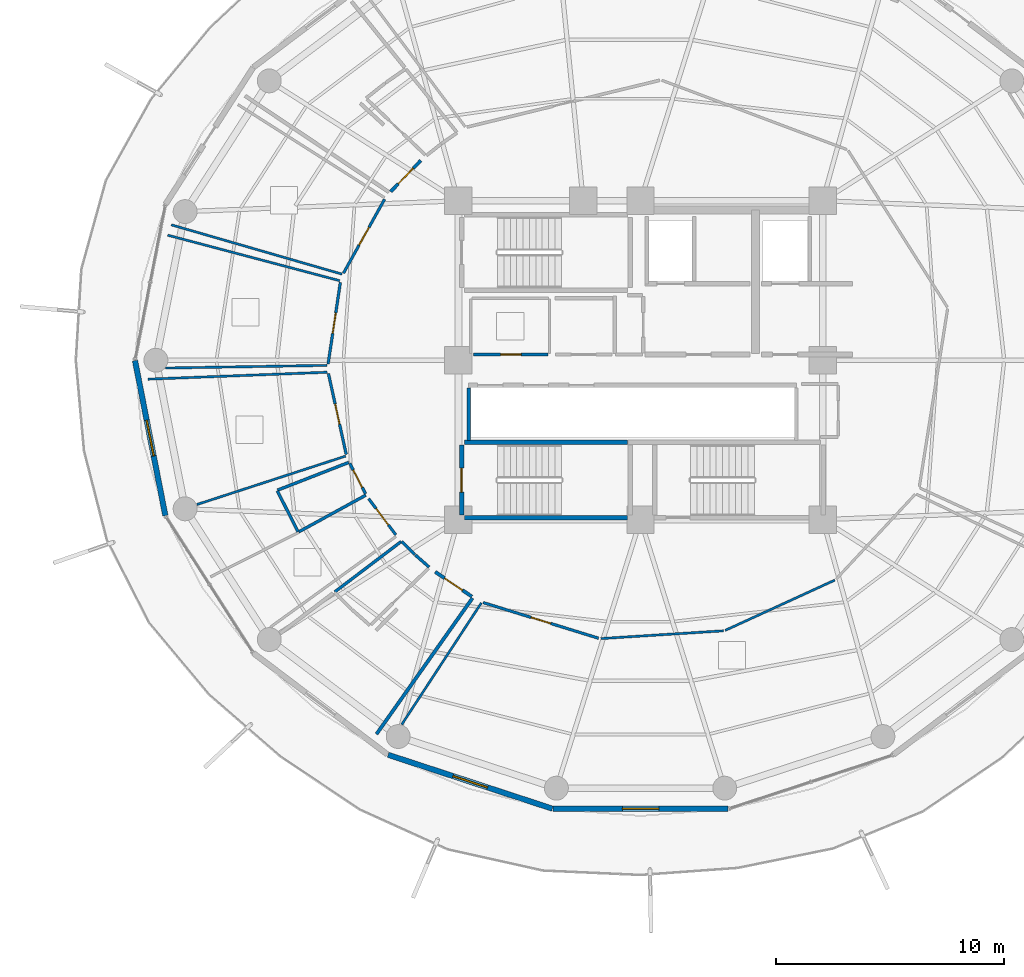
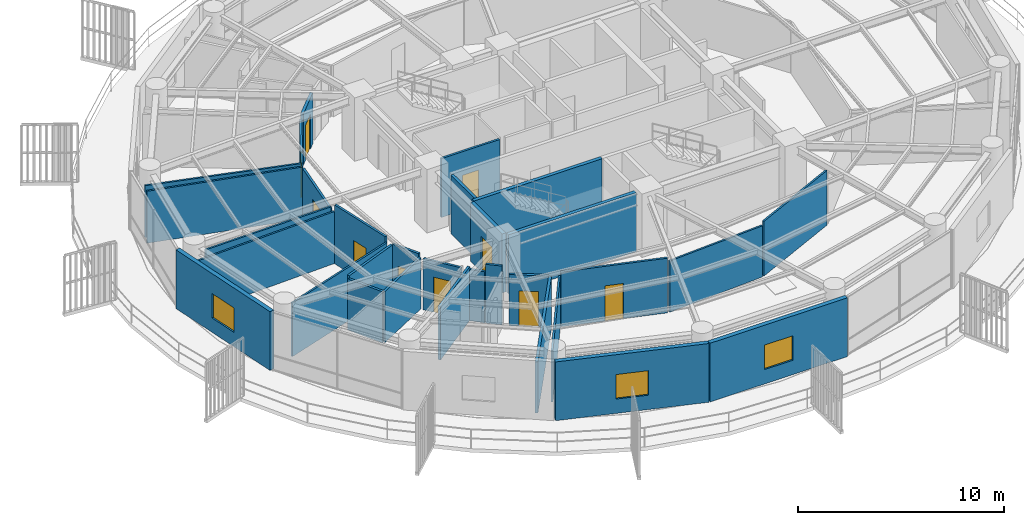
# One storey, part 23 of 30: 31 walls, 10 doors, 3 windows, 13 openings.
"""IFC4 building model written with IfcOpenShell, lengths in metres."""

from ifc_helpers import new_model, si_unit, direction, frame, frame_2d, origin, place, context, subcontext, project, spatial, rectangle, extrude, material, layer, layer_set, type_object, element, fill, save


model = new_model("IFC4")

# Units and contexts
model_context = context("Model", 3, precision=1e-05, world=origin(), true_north=direction((0.0, 1.0)))
body_context = subcontext(model_context, "Body", "Model", "MODEL_VIEW")
ifc_project = project(units=[si_unit("LENGTHUNIT", "METRE"), si_unit("AREAUNIT", "SQUARE_METRE"), si_unit("VOLUMEUNIT", "CUBIC_METRE"), si_unit("PLANEANGLEUNIT", "RADIAN"), si_unit("MASSUNIT", "GRAM", prefix="KILO")], contexts=[model_context])

# Site, building, storey
site_placement = place(None, origin())
site = spatial("IfcSite", under=ifc_project, at=site_placement, CompositionType="ELEMENT")
building_placement = place(site_placement, origin())
building = spatial("IfcBuilding", under=site, at=building_placement, Name="Kelanora Arch Commons", CompositionType="ELEMENT")
storey_placement = place(building_placement, frame((0.0, 0.0, 215.699951171875)))
storey = spatial("IfcBuildingStorey", under=building, at=storey_placement, Name="L55", CompositionType="ELEMENT", Elevation=215.699951171875)

# Wall
ifc_material_1 = material(Name="Autoclaved aerated concrete blockwork with fire plaster", Category="masonry")
ifc_layer_1 = layer(ifc_material_1, 0.14990234375)
ifc_layer_set_1 = layer_set([ifc_layer_1], Name="Autoclaved aerated concrete blockwork with fire plaster")
wall_type_1 = type_object("IfcWallType", Name="W-COMP-150", PredefinedType="PARTITIONING", material=ifc_layer_set_1)
wall_1_placement = place(storey_placement, frame((66.4599609375, 54.47998046875, 0.0), z_axis=(0.0, 0.0, 1.0), x_axis=(0.0, 1.0, 0.0)))
element("IfcWall", 1, at=wall_1_placement, inside=storey, type_object=wall_type_1, Name="South Lift Bank West Wall L55", PredefinedType="PARTITIONING", context=body_context, shape_type="SweptSolid", body=[
    extrude(rectangle(XDim=2.2900390625, YDim=0.14990234375, at=frame_2d((1.14501953125, 0.0))), origin(), (0.0, 0.0, 1.0), 3.47998046875),
])

# Wall, opening, door
wall_2_placement = place(storey_placement, frame((64.34716796875, 66.761962890625, 0.0), z_axis=(0.0, 0.0, 1.0), x_axis=(-0.697118859216, -0.716955574722, 0.0)))
wall_2 = element("IfcWall", 2, at=wall_2_placement, inside=storey, type_object=wall_type_1, Name="Co-Living Studio L55-01 Entry Partition", PredefinedType="PARTITIONING", context=body_context, shape_type="SweptSolid", body=[
    extrude(rectangle(XDim=1.895263671875, YDim=0.14990234375, at=frame_2d((0.94775390625, 0.0))), origin(), (0.0, 0.0, 1.0), 3.025146484375),
])
opening_1_placement = place(wall_2_placement, frame((0.472900390625, 0.0, 0.0)))
opening_1 = element("IfcOpeningElement", 3, at=opening_1_placement, cuts=wall_2, Name="Opening D-CLU1", PredefinedType="OPENING", context=body_context, shape_type="SweptSolid", body=[
    extrude(rectangle(XDim=0.949951171875, YDim=2.080078125, at=frame_2d((0.47509765625, 1.0400390625))), frame((0.0, 0.0849609375, 0.0), z_axis=(0.0, -1.0, 0.0), x_axis=(1.0, 0.0, 0.0)), (0.0, 0.0, 1.0), 0.169921875),
])
ifc_material_2 = material(Name="Solid-core acoustic timber cluster entry fire door", Category="wood")
door_type_1 = type_object("IfcDoorType", Name="D-CLU-95", OperationType="NOTDEFINED", PredefinedType="DOOR", material=ifc_material_2)
door_1_placement = place(opening_1_placement, origin())
door_1 = element("IfcDoor", 4, at=door_1_placement, inside=storey, type_object=door_type_1, Name="Co-Living Studio L55-01 Door", OperationType="SINGLE_SWING_RIGHT", OverallHeight=2.080078125, OverallWidth=0.949951171875, PredefinedType="DOOR", context=body_context, shape_type="SweptSolid", body=[
    extrude(rectangle(XDim=0.949951171875, YDim=2.080078125, at=frame_2d((0.47509765625, 1.0400390625))), frame((0.0, 0.02490234375, 0.0), z_axis=(0.0, -1.0, 0.0), x_axis=(1.0, 0.0, 0.0)), (0.0, 0.0, 1.0), 0.050048828125),
])
fill(opening_1, door_1)

wall_3_placement = place(storey_placement, frame((64.98388671875, 48.70654296875, 0.0), z_axis=(0.0, 0.0, 1.0), x_axis=(0.829408373073, -0.558642775553, 0.0)))
wall_3 = element("IfcWall", 5, at=wall_3_placement, inside=storey, type_object=wall_type_1, Name="Co-Living Studio L55-06 Entry Partition", PredefinedType="PARTITIONING", context=body_context, shape_type="SweptSolid", body=[
    extrude(rectangle(XDim=1.9404296875, YDim=0.14990234375, at=frame_2d((0.97021484375, 0.0))), origin(), (0.0, 0.0, 1.0), 3.025146484375),
])
opening_2_placement = place(wall_3_placement, frame((0.4951171875, 0.0, 0.0)))
opening_2 = element("IfcOpeningElement", 6, at=opening_2_placement, cuts=wall_3, Name="Opening D-CLU1", PredefinedType="OPENING", context=body_context, shape_type="SweptSolid", body=[
    extrude(rectangle(XDim=0.949951171875, YDim=2.080078125, at=frame_2d((0.47509765625, 1.0400390625))), frame((0.0, 0.0849609375, 0.0), z_axis=(0.0, -1.0, 0.0), x_axis=(1.0, 0.0, 0.0)), (0.0, 0.0, 1.0), 0.169921875),
])
door_2_placement = place(opening_2_placement, origin())
door_2 = element("IfcDoor", 7, at=door_2_placement, inside=storey, type_object=door_type_1, Name="Co-Living Studio L55-06 Door", OperationType="SINGLE_SWING_LEFT", OverallHeight=2.080078125, OverallWidth=0.949951171875, PredefinedType="DOOR", context=body_context, shape_type="SweptSolid", body=[
    extrude(rectangle(XDim=0.949951171875, YDim=2.080078125, at=frame_2d((0.47509765625, 1.0400390625))), frame((0.0, 0.02490234375, 0.0), z_axis=(0.0, -1.0, 0.0), x_axis=(1.0, 0.0, 0.0)), (0.0, 0.0, 1.0), 0.050048828125),
])
fill(opening_2, door_2)

# Wall
wall_4_placement = place(storey_placement, frame((66.619873046875, 47.556396484375, 0.0), z_axis=(0.0, 0.0, 1.0), x_axis=(-0.576552043051, -0.817060427174, 0.0)))
element("IfcWall", 8, at=wall_4_placement, inside=storey, type_object=wall_type_1, Name="Co-Living Studio L55-06 Enclosure Partition 2", PredefinedType="PARTITIONING", context=body_context, shape_type="SweptSolid", body=[
    extrude(rectangle(XDim=7.308837890625, YDim=0.14990234375, at=frame_2d((3.654296875, 0.0))), origin(), (0.0, 0.0, 1.0), 3.025146484375),
])

# Wall, opening, window
ifc_material_3 = material(Name="Precast concrete C40/50 upper-zone terracotta rainscreen", Category="masonry")
ifc_layer_2 = layer(ifc_material_3, 0.239990234375)
ifc_layer_set_2 = layer_set([ifc_layer_2], Name="Precast concrete C40/50 upper-zone terracotta rainscreen")
wall_type_2 = type_object("IfcWallType", Name="W-EXT-TC2", PredefinedType="SOLIDWALL", material=ifc_layer_set_2)
wall_5_placement = place(storey_placement, frame((51.802978515625, 57.9853515625, 0.0), z_axis=(0.0, 0.0, 1.0), x_axis=(0.192069055673, -0.981381413036, 0.0)))
wall_5 = element("IfcWall", 9, at=wall_5_placement, inside=storey, type_object=wall_type_2, Name="Terracotta Exterior Wall L55-B09", PredefinedType="SOLIDWALL", context=body_context, shape_type="SweptSolid", body=[
    extrude(rectangle(XDim=6.940185546875, YDim=0.239990234375, at=frame_2d((3.47021484375, 0.0))), origin(), (0.0, 0.0, 1.0), 3.47509765625),
])
opening_3_placement = place(wall_5_placement, frame((2.669921875, 0.0, 0.85009765625)))
opening_3 = element("IfcOpeningElement", 10, at=opening_3_placement, cuts=wall_5, Name="Opening WN-01", PredefinedType="OPENING", context=body_context, shape_type="SweptSolid", body=[
    extrude(rectangle(XDim=1.60009765625, YDim=1.449951171875, at=frame_2d((0.800048828125, 0.72509765625))), frame((0.0, 0.1298828125, 0.0), z_axis=(0.0, -1.0, 0.0), x_axis=(1.0, 0.0, 0.0)), (0.0, 0.0, 1.0), 0.260009765625),
])
ifc_material_4 = material(Name="Terracotta-anodised aluminium frame with operable low-E glazing", Category="masonry")
window_type = type_object("IfcWindowType", Name="WIN-CL-18", PartitioningType="DOUBLE_PANEL_VERTICAL", PredefinedType="WINDOW", material=ifc_material_4)
window_1_placement = place(opening_3_placement, origin())
window_1 = element("IfcWindow", 11, at=window_1_placement, inside=storey, type_object=window_type, Name="Co-Living Operable Window L55-B09", OverallHeight=1.449951171875, OverallWidth=1.60009765625, PartitioningType="SINGLE_PANEL", PredefinedType="WINDOW", context=body_context, shape_type="SweptSolid", body=[
    extrude(rectangle(XDim=1.60009765625, YDim=1.449951171875, at=frame_2d((0.800048828125, 0.72509765625))), frame((0.0, 0.030029296875, 0.0), z_axis=(0.0, -1.0, 0.0), x_axis=(1.0, 0.0, 0.0)), (0.0, 0.0, 1.0), 0.06005859375),
])
fill(opening_3, window_1)

wall_6_placement = place(storey_placement, frame((62.914306640625, 40.6748046875, 0.0), z_axis=(0.0, 0.0, 1.0), x_axis=(0.95022142767, -0.31157541366, 0.0)))
wall_6 = element("IfcWall", 12, at=wall_6_placement, inside=storey, type_object=wall_type_2, Name="Terracotta Exterior Wall L55-B12", PredefinedType="SOLIDWALL", context=body_context, shape_type="SweptSolid", body=[
    extrude(rectangle(XDim=7.59423828125, YDim=0.239990234375, at=frame_2d((3.797119140625, 0.0))), origin(), (0.0, 0.0, 1.0), 3.47509765625),
])
opening_4_placement = place(wall_6_placement, frame((2.9970703125, 0.0, 0.85009765625)))
opening_4 = element("IfcOpeningElement", 13, at=opening_4_placement, cuts=wall_6, Name="Opening WN-01", PredefinedType="OPENING", context=body_context, shape_type="SweptSolid", body=[
    extrude(rectangle(XDim=1.60009765625, YDim=1.449951171875, at=frame_2d((0.800048828125, 0.72509765625))), frame((0.0, 0.1298828125, 0.0), z_axis=(0.0, -1.0, 0.0), x_axis=(1.0, 0.0, 0.0)), (0.0, 0.0, 1.0), 0.260009765625),
])
window_2_placement = place(opening_4_placement, origin())
window_2 = element("IfcWindow", 14, at=window_2_placement, inside=storey, type_object=window_type, Name="Co-Living Operable Window L55-B12", OverallHeight=1.449951171875, OverallWidth=1.60009765625, PartitioningType="SINGLE_PANEL", PredefinedType="WINDOW", context=body_context, shape_type="SweptSolid", body=[
    extrude(rectangle(XDim=1.60009765625, YDim=1.449951171875, at=frame_2d((0.800048828125, 0.72509765625))), frame((0.0, 0.030029296875, 0.0), z_axis=(0.0, -1.0, 0.0), x_axis=(1.0, 0.0, 0.0)), (0.0, 0.0, 1.0), 0.06005859375),
])
fill(opening_4, window_2)

wall_7_placement = place(storey_placement, frame((70.159912109375, 38.3037109375, 0.0), z_axis=(0.0, 0.0, 1.0), x_axis=(1.0, 0.0, 0.0)))
wall_7 = element("IfcWall", 15, at=wall_7_placement, inside=storey, type_object=wall_type_2, Name="Terracotta Exterior Wall L55-B13", PredefinedType="SOLIDWALL", context=body_context, shape_type="SweptSolid", body=[
    extrude(rectangle(XDim=7.68017578125, YDim=0.239990234375, at=frame_2d((3.840087890625, 0.0))), origin(), (0.0, 0.0, 1.0), 3.47509765625),
])
opening_5_placement = place(wall_7_placement, frame((3.0400390625, 0.0, 0.85009765625)))
opening_5 = element("IfcOpeningElement", 16, at=opening_5_placement, cuts=wall_7, Name="Opening WN-01", PredefinedType="OPENING", context=body_context, shape_type="SweptSolid", body=[
    extrude(rectangle(XDim=1.60009765625, YDim=1.449951171875, at=frame_2d((0.800048828125, 0.72509765625))), frame((0.0, 0.1298828125, 0.0), z_axis=(0.0, -1.0, 0.0), x_axis=(1.0, 0.0, 0.0)), (0.0, 0.0, 1.0), 0.260009765625),
])
window_3_placement = place(opening_5_placement, origin())
window_3 = element("IfcWindow", 17, at=window_3_placement, inside=storey, type_object=window_type, Name="Co-Living Operable Window L55-B13", OverallHeight=1.449951171875, OverallWidth=1.60009765625, PartitioningType="SINGLE_PANEL", PredefinedType="WINDOW", context=body_context, shape_type="SweptSolid", body=[
    extrude(rectangle(XDim=1.60009765625, YDim=1.449951171875, at=frame_2d((0.800048828125, 0.72509765625))), frame((0.0, 0.030029296875, 0.0), z_axis=(0.0, -1.0, 0.0), x_axis=(1.0, 0.0, 0.0)), (0.0, 0.0, 1.0), 0.06005859375),
])
fill(opening_5, window_3)

# Walls
ifc_material_5 = material(Name="Lightweight fire-rated acoustic stud partition")
ifc_layer_3 = layer(ifc_material_5, 0.10009765625)
ifc_layer_set_3 = layer_set([ifc_layer_3], Name="Lightweight fire-rated acoustic stud partition")
wall_type_3 = type_object("IfcWallType", Name="W-PART-100", PredefinedType="PARTITIONING", material=ifc_layer_set_3)
wall_8_placement = place(storey_placement, frame((72.25390625, 45.777587890625, 0.0), z_axis=(0.0, 0.0, 1.0), x_axis=(0.99800477295, 0.063138523658, 0.0)))
element("IfcWall", 18, at=wall_8_placement, inside=storey, type_object=wall_type_3, Name="South-East Shared Study Commons L55 Enclosure Partition 2", PredefinedType="PARTITIONING", context=body_context, shape_type="SweptSolid", body=[
    extrude(rectangle(XDim=5.39794921875, YDim=0.10009765625, at=frame_2d((2.698974609375, 0.0))), origin(), (0.0, 0.0, 1.0), 3.025146484375),
])
wall_9_placement = place(storey_placement, frame((77.71728515625, 46.1376953125, 0.0), z_axis=(0.0, 0.0, 1.0), x_axis=(0.908908137454, 0.416996400069, 0.0)))
element("IfcWall", 19, at=wall_9_placement, inside=storey, type_object=wall_type_3, Name="South-East Shared Study Commons L55 Enclosure Partition 3", PredefinedType="PARTITIONING", context=body_context, shape_type="SweptSolid", body=[
    extrude(rectangle(XDim=5.2890625, YDim=0.10009765625, at=frame_2d((2.64453125, 0.0))), origin(), (0.0, 0.0, 1.0), 3.235107421875),
])
wall_10_placement = place(storey_placement, frame((63.513916015625, 42.00439453125, 0.0), z_axis=(0.0, 0.0, 1.0), x_axis=(0.547776057645, 0.836625000028, 0.0)))
element("IfcWall", 20, at=wall_10_placement, inside=storey, type_object=wall_type_3, Name="South-East Shared Study Commons L55 Enclosure Partition 10", PredefinedType="PARTITIONING", context=body_context, shape_type="SweptSolid", body=[
    extrude(rectangle(XDim=6.380615234375, YDim=0.10009765625, at=frame_2d((3.1904296875, 0.0))), origin(), (0.0, 0.0, 1.0), 3.025146484375),
])
wall_11_placement = place(storey_placement, frame((60.888671875, 61.780029296875, 0.0), z_axis=(0.0, 0.0, 1.0), x_axis=(-0.960734399679, 0.277469661899, 0.0)))
element("IfcWall", 21, at=wall_11_placement, inside=storey, type_object=wall_type_3, Name="Shared Cluster Kitchen L55-02 Enclosure Partition 2", PredefinedType="PARTITIONING", context=body_context, shape_type="SweptSolid", body=[
    extrude(rectangle(XDim=7.79833984375, YDim=0.10009765625, at=frame_2d((3.899169921875, 0.0))), origin(), (0.0, 0.0, 1.0), 3.074951171875),
])
wall_12_placement = place(storey_placement, frame((60.23193359375, 57.773193359375, 0.0), z_axis=(0.0, 0.0, 1.0), x_axis=(-0.999864271248, -0.016475408379, 0.0)))
element("IfcWall", 22, at=wall_12_placement, inside=storey, type_object=wall_type_3, Name="Quiet Seminar Study Room L55-03 Enclosure Partition 2", PredefinedType="PARTITIONING", context=body_context, shape_type="SweptSolid", body=[
    extrude(rectangle(XDim=7.083251953125, YDim=0.10009765625, at=frame_2d((3.54150390625, 0.0))), origin(), (0.0, 0.0, 1.0), 3.175048828125),
])
wall_13_placement = place(storey_placement, frame((53.24072265625, 63.48974609375, 0.0), z_axis=(0.0, 0.0, 1.0), x_axis=(0.966701361123, -0.25590716755, 0.0)))
element("IfcWall", 23, at=wall_13_placement, inside=storey, type_object=wall_type_3, Name="Quiet Seminar Study Room L55-03 Enclosure Partition 4", PredefinedType="PARTITIONING", context=body_context, shape_type="SweptSolid", body=[
    extrude(rectangle(XDim=7.8095703125, YDim=0.10009765625, at=frame_2d((3.90478515625, 0.0))), origin(), (0.0, 0.0, 1.0), 3.074951171875),
])
wall_14_placement = place(storey_placement, frame((61.052001953125, 53.79052734375, 0.0), z_axis=(0.0, 0.0, 1.0), x_axis=(-0.950863645771, -0.309609959708, 0.0)))
element("IfcWall", 24, at=wall_14_placement, inside=storey, type_object=wall_type_3, Name="Social Sky Lounge L55-04 Enclosure Partition 2", PredefinedType="PARTITIONING", context=body_context, shape_type="SweptSolid", body=[
    extrude(rectangle(XDim=6.869873046875, YDim=0.10009765625, at=frame_2d((3.43505859375, 0.0))), origin(), (0.0, 0.0, 1.0), 3.175048828125),
])
wall_15_placement = place(storey_placement, frame((52.3798828125, 57.16845703125, 0.0), z_axis=(0.0, 0.0, 1.0), x_axis=(0.999258468257, 0.038503423452, 0.0)))
element("IfcWall", 25, at=wall_15_placement, inside=storey, type_object=wall_type_3, Name="Social Sky Lounge L55-04 Enclosure Partition 4", PredefinedType="PARTITIONING", context=body_context, shape_type="SweptSolid", body=[
    extrude(rectangle(XDim=7.868896484375, YDim=0.10009765625, at=frame_2d((3.9345703125, 0.0))), origin(), (0.0, 0.0, 1.0), 3.074951171875),
])

# Wall, opening, door
ifc_material_6 = material(Name="Acoustic twin-stud fire-rated gypsum partition")
ifc_layer_4 = layer(ifc_material_6, 0.1201171875)
ifc_layer_set_4 = layer_set([ifc_layer_4], Name="Acoustic twin-stud fire-rated gypsum partition")
wall_type_4 = type_object("IfcWallType", Name="W-PART-120", PredefinedType="PARTITIONING", material=ifc_layer_set_4)
wall_16_placement = place(storey_placement, frame((66.67529296875, 58.25, 0.0), z_axis=(0.0, 0.0, 1.0), x_axis=(1.0, 0.0, 0.0)))
wall_16 = element("IfcWall", 26, at=wall_16_placement, inside=storey, type_object=wall_type_4, Name="Reclaimed Core Quiet Phone Booths L55 Entry Partition", PredefinedType="PARTITIONING", context=body_context, shape_type="SweptSolid", body=[
    extrude(rectangle(XDim=3.2646484375, YDim=0.1201171875, at=frame_2d((1.63232421875, 0.0))), origin(), (0.0, 0.0, 1.0), 3.47998046875),
])
opening_6_placement = place(wall_16_placement, frame((1.181884765625, 0.0, 0.0)))
opening_6 = element("IfcOpeningElement", 27, at=opening_6_placement, cuts=wall_16, Name="Opening D-RM1", PredefinedType="OPENING", context=body_context, shape_type="SweptSolid", body=[
    extrude(rectangle(XDim=0.89990234375, YDim=2.080078125, at=frame_2d((0.449951171875, 1.0400390625))), frame((0.0, 0.070068359375, 0.0), z_axis=(0.0, -1.0, 0.0), x_axis=(1.0, 0.0, 0.0)), (0.0, 0.0, 1.0), 0.14013671875),
])
ifc_material_7 = material(Name="Acoustic fire-rated timber study and lounge door", Category="wood")
door_type_2 = type_object("IfcDoorType", Name="D-ROOM-90", OperationType="NOTDEFINED", PredefinedType="DOOR", material=ifc_material_7)
door_3_placement = place(opening_6_placement, origin())
door_3 = element("IfcDoor", 28, at=door_3_placement, inside=storey, type_object=door_type_2, Name="Reclaimed Core Quiet Phone Booths L55 Door", OperationType="SINGLE_SWING_LEFT", OverallHeight=2.080078125, OverallWidth=0.89990234375, PredefinedType="DOOR", context=body_context, shape_type="SweptSolid", body=[
    extrude(rectangle(XDim=0.89990234375, YDim=2.080078125, at=frame_2d((0.449951171875, 1.0400390625))), frame((0.0, 0.02490234375, 0.0), z_axis=(0.0, -1.0, 0.0), x_axis=(1.0, 0.0, 0.0)), (0.0, 0.0, 1.0), 0.050048828125),
])
fill(opening_6, door_3)

wall_17_placement = place(storey_placement, frame((67.08837890625, 47.3583984375, 0.0), z_axis=(0.0, 0.0, 1.0), x_axis=(0.955451026591, -0.295149683696, 0.0)))
wall_17 = element("IfcWall", 29, at=wall_17_placement, inside=storey, type_object=wall_type_4, Name="South-East Shared Study Commons L55 Entry Partition", PredefinedType="PARTITIONING", context=body_context, shape_type="SweptSolid", body=[
    extrude(rectangle(XDim=5.3046875, YDim=0.1201171875, at=frame_2d((2.65234375, 0.0))), origin(), (0.0, 0.0, 1.0), 3.235107421875),
])
opening_7_placement = place(wall_17_placement, frame((2.201904296875, 0.0, 0.0)))
opening_7 = element("IfcOpeningElement", 30, at=opening_7_placement, cuts=wall_17, Name="Opening D-RM1", PredefinedType="OPENING", context=body_context, shape_type="SweptSolid", body=[
    extrude(rectangle(XDim=0.89990234375, YDim=2.080078125, at=frame_2d((0.449951171875, 1.0400390625))), frame((0.0, 0.070068359375, 0.0), z_axis=(0.0, -1.0, 0.0), x_axis=(1.0, 0.0, 0.0)), (0.0, 0.0, 1.0), 0.14013671875),
])
door_4_placement = place(opening_7_placement, origin())
door_4 = element("IfcDoor", 31, at=door_4_placement, inside=storey, type_object=door_type_2, Name="South-East Shared Study Commons L55 Door", OperationType="SINGLE_SWING_LEFT", OverallHeight=2.080078125, OverallWidth=0.89990234375, PredefinedType="DOOR", context=body_context, shape_type="SweptSolid", body=[
    extrude(rectangle(XDim=0.89990234375, YDim=2.080078125, at=frame_2d((0.449951171875, 1.0400390625))), frame((0.0, 0.02490234375, 0.0), z_axis=(0.0, -1.0, 0.0), x_axis=(1.0, 0.0, 0.0)), (0.0, 0.0, 1.0), 0.050048828125),
])
fill(opening_7, door_4)

wall_18_placement = place(storey_placement, frame((62.7587890625, 65.063720703125, 0.0), z_axis=(0.0, 0.0, 1.0), x_axis=(-0.485877595764, -0.874026865683, 0.0)))
wall_18 = element("IfcWall", 32, at=wall_18_placement, inside=storey, type_object=wall_type_4, Name="Shared Cluster Kitchen L55-02 Entry Partition", PredefinedType="PARTITIONING", context=body_context, shape_type="SweptSolid", body=[
    extrude(rectangle(XDim=3.709716796875, YDim=0.1201171875, at=frame_2d((1.85498046875, 0.0))), origin(), (0.0, 0.0, 1.0), 3.025146484375),
])
opening_8_placement = place(wall_18_placement, frame((1.405029296875, 0.0, 0.0)))
opening_8 = element("IfcOpeningElement", 33, at=opening_8_placement, cuts=wall_18, Name="Opening D-RM1", PredefinedType="OPENING", context=body_context, shape_type="SweptSolid", body=[
    extrude(rectangle(XDim=0.89990234375, YDim=2.080078125, at=frame_2d((0.449951171875, 1.0400390625))), frame((0.0, 0.070068359375, 0.0), z_axis=(0.0, -1.0, 0.0), x_axis=(1.0, 0.0, 0.0)), (0.0, 0.0, 1.0), 0.14013671875),
])
door_5_placement = place(opening_8_placement, origin())
door_5 = element("IfcDoor", 34, at=door_5_placement, inside=storey, type_object=door_type_2, Name="Shared Cluster Kitchen L55-02 Door", OperationType="SINGLE_SWING_LEFT", OverallHeight=2.080078125, OverallWidth=0.89990234375, PredefinedType="DOOR", context=body_context, shape_type="SweptSolid", body=[
    extrude(rectangle(XDim=0.89990234375, YDim=2.080078125, at=frame_2d((0.449951171875, 1.0400390625))), frame((0.0, 0.02490234375, 0.0), z_axis=(0.0, -1.0, 0.0), x_axis=(1.0, 0.0, 0.0)), (0.0, 0.0, 1.0), 0.050048828125),
])
fill(opening_8, door_5)

wall_19_placement = place(storey_placement, frame((60.820068359375, 61.421630859375, 0.0), z_axis=(0.0, 0.0, 1.0), x_axis=(-0.148557592641, -0.988903757536, 0.0)))
wall_19 = element("IfcWall", 35, at=wall_19_placement, inside=storey, type_object=wall_type_4, Name="Quiet Seminar Study Room L55-03 Entry Partition", PredefinedType="PARTITIONING", context=body_context, shape_type="SweptSolid", body=[
    extrude(rectangle(XDim=3.628662109375, YDim=0.1201171875, at=frame_2d((1.814453125, 0.0))), origin(), (0.0, 0.0, 1.0), 3.025146484375),
])
opening_9_placement = place(wall_19_placement, frame((1.364013671875, 0.0, 0.0)))
opening_9 = element("IfcOpeningElement", 36, at=opening_9_placement, cuts=wall_19, Name="Opening D-RM1", PredefinedType="OPENING", context=body_context, shape_type="SweptSolid", body=[
    extrude(rectangle(XDim=0.89990234375, YDim=2.080078125, at=frame_2d((0.449951171875, 1.0400390625))), frame((0.0, 0.070068359375, 0.0), z_axis=(0.0, -1.0, 0.0), x_axis=(1.0, 0.0, 0.0)), (0.0, 0.0, 1.0), 0.14013671875),
])
door_6_placement = place(opening_9_placement, origin())
door_6 = element("IfcDoor", 37, at=door_6_placement, inside=storey, type_object=door_type_2, Name="Quiet Seminar Study Room L55-03 Door", OperationType="SINGLE_SWING_RIGHT", OverallHeight=2.080078125, OverallWidth=0.89990234375, PredefinedType="DOOR", context=body_context, shape_type="SweptSolid", body=[
    extrude(rectangle(XDim=0.89990234375, YDim=2.080078125, at=frame_2d((0.449951171875, 1.0400390625))), frame((0.0, 0.02490234375, 0.0), z_axis=(0.0, -1.0, 0.0), x_axis=(1.0, 0.0, 0.0)), (0.0, 0.0, 1.0), 0.050048828125),
])
fill(opening_9, door_6)

wall_20_placement = place(storey_placement, frame((60.2958984375, 57.414306640625, 0.0), z_axis=(0.0, 0.0, 1.0), x_axis=(0.214769597133, -0.976664742963, 0.0)))
wall_20 = element("IfcWall", 38, at=wall_20_placement, inside=storey, type_object=wall_type_4, Name="Social Sky Lounge L55-04 Entry Partition", PredefinedType="PARTITIONING", context=body_context, shape_type="SweptSolid", body=[
    extrude(rectangle(XDim=3.6376953125, YDim=0.1201171875, at=frame_2d((1.81884765625, 0.0))), origin(), (0.0, 0.0, 1.0), 3.47998046875),
])
opening_10_placement = place(wall_20_placement, frame((1.368896484375, 0.0, 0.0)))
opening_10 = element("IfcOpeningElement", 39, at=opening_10_placement, cuts=wall_20, Name="Opening D-RM1", PredefinedType="OPENING", context=body_context, shape_type="SweptSolid", body=[
    extrude(rectangle(XDim=0.89990234375, YDim=2.080078125, at=frame_2d((0.449951171875, 1.0400390625))), frame((0.0, 0.070068359375, 0.0), z_axis=(0.0, -1.0, 0.0), x_axis=(1.0, 0.0, 0.0)), (0.0, 0.0, 1.0), 0.14013671875),
])
door_7_placement = place(opening_10_placement, origin())
door_7 = element("IfcDoor", 40, at=door_7_placement, inside=storey, type_object=door_type_2, Name="Social Sky Lounge L55-04 Door", OperationType="SINGLE_SWING_LEFT", OverallHeight=2.080078125, OverallWidth=0.89990234375, PredefinedType="DOOR", context=body_context, shape_type="SweptSolid", body=[
    extrude(rectangle(XDim=0.89990234375, YDim=2.080078125, at=frame_2d((0.449951171875, 1.0400390625))), frame((0.0, 0.02490234375, 0.0), z_axis=(0.0, -1.0, 0.0), x_axis=(1.0, 0.0, 0.0)), (0.0, 0.0, 1.0), 0.050048828125),
])
fill(opening_10, door_7)

wall_21_placement = place(storey_placement, frame((62.06005859375, 51.922119140625, 0.0), z_axis=(0.0, 0.0, 1.0), x_axis=(0.600647163637, -0.799514218019, 0.0)))
wall_21 = element("IfcWall", 41, at=wall_21_placement, inside=storey, type_object=wall_type_4, Name="Tutorial Study Alcove L55-05 Entry Partition", PredefinedType="PARTITIONING", context=body_context, shape_type="SweptSolid", body=[
    extrude(rectangle(XDim=1.9912109375, YDim=0.1201171875, at=frame_2d((0.99560546875, 0.0))), origin(), (0.0, 0.0, 1.0), 3.025146484375),
])
opening_11_placement = place(wall_21_placement, frame((0.5458984375, 0.0, 0.0)))
opening_11 = element("IfcOpeningElement", 42, at=opening_11_placement, cuts=wall_21, Name="Opening D-RM1", PredefinedType="OPENING", context=body_context, shape_type="SweptSolid", body=[
    extrude(rectangle(XDim=0.89990234375, YDim=2.080078125, at=frame_2d((0.449951171875, 1.0400390625))), frame((0.0, 0.070068359375, 0.0), z_axis=(0.0, -1.0, 0.0), x_axis=(1.0, 0.0, 0.0)), (0.0, 0.0, 1.0), 0.14013671875),
])
door_8_placement = place(opening_11_placement, origin())
door_8 = element("IfcDoor", 43, at=door_8_placement, inside=storey, type_object=door_type_2, Name="Tutorial Study Alcove L55-05 Door", OperationType="SINGLE_SWING_LEFT", OverallHeight=2.080078125, OverallWidth=0.89990234375, PredefinedType="DOOR", context=body_context, shape_type="SweptSolid", body=[
    extrude(rectangle(XDim=0.89990234375, YDim=2.080078125, at=frame_2d((0.449951171875, 1.0400390625))), frame((0.0, 0.02490234375, 0.0), z_axis=(0.0, -1.0, 0.0), x_axis=(1.0, 0.0, 0.0)), (0.0, 0.0, 1.0), 0.050048828125),
])
fill(opening_11, door_8)

# Walls
ifc_material_8 = material(Name="Concrete C40/50", Category="concrete")
ifc_layer_5 = layer(ifc_material_8, 0.199951171875)
ifc_layer_set_5 = layer_set([ifc_layer_5], Name="Concrete C40/50")
wall_type_5 = type_object("IfcWallType", Name="W-STAIR-200", PredefinedType="SHEAR", material=ifc_layer_set_5)
for number, where, z_axis, x_axis, name in (
    (44, (66.260009765625, 51.080078125, 0.0), (0.0, 0.0, 1.0), (1.0, 0.0, 0.0), "Stair ST-T3 Shaft Wall S L55"),
    (45, (73.419921875, 54.389892578125, 0.0), (0.0, 0.0, 1.0), (-1.0, 0.0, 0.0), "Stair ST-T3 Shaft Wall N L55"),
):
    element("IfcWall", number, at=place(storey_placement, frame(where, z_axis=z_axis, x_axis=x_axis)), inside=storey, type_object=wall_type_5, Name=name, PredefinedType="SHEAR", context=body_context, shape_type="SweptSolid", body=[
        extrude(rectangle(XDim=7.159912109375, YDim=0.199951171875, at=frame_2d((3.580078125, 0.0))), origin(), (0.0, 0.0, 1.0), 3.489990234375),
    ])

# Wall, opening, door
wall_22_placement = place(storey_placement, frame((66.139892578125, 54.27001953125, 0.0), z_axis=(0.0, 0.0, 1.0), x_axis=(0.0, -1.0, 0.0)))
wall_22 = element("IfcWall", 46, at=wall_22_placement, inside=storey, type_object=wall_type_5, Name="Stair ST-T3 Shaft Wall W L55", PredefinedType="SHEAR", context=body_context, shape_type="SweptSolid", body=[
    extrude(rectangle(XDim=3.070068359375, YDim=0.199951171875, at=frame_2d((1.53515625, 0.0))), origin(), (0.0, 0.0, 1.0), 3.489990234375),
])
opening_12_placement = place(wall_22_placement, frame((1.010009765625, 0.0, 0.0)))
opening_12 = element("IfcOpeningElement", 47, at=opening_12_placement, cuts=wall_22, Name="Opening D-ST1", PredefinedType="OPENING", context=body_context, shape_type="SweptSolid", body=[
    extrude(rectangle(XDim=1.050048828125, YDim=2.10009765625, at=frame_2d((0.52490234375, 1.050048828125))), frame((0.0, 0.10986328125, 0.0), z_axis=(0.0, -1.0, 0.0), x_axis=(1.0, 0.0, 0.0)), (0.0, 0.0, 1.0), 0.219970703125),
])
ifc_material_9 = material(Name="Steel fire-rated stairwell escape door", Category="steel")
door_type_3 = type_object("IfcDoorType", Name="D-STAIR-110", OperationType="NOTDEFINED", PredefinedType="DOOR", material=ifc_material_9)
door_9_placement = place(opening_12_placement, origin())
door_9 = element("IfcDoor", 48, at=door_9_placement, inside=storey, type_object=door_type_3, Name="Stair ST-T3 Escape Door L55", OperationType="SINGLE_SWING_LEFT", OverallHeight=2.10009765625, OverallWidth=1.050048828125, PredefinedType="DOOR", context=body_context, shape_type="SweptSolid", body=[
    extrude(rectangle(XDim=1.050048828125, YDim=2.10009765625, at=frame_2d((0.52490234375, 1.050048828125))), frame((0.0, 0.02490234375, 0.0), z_axis=(0.0, -1.0, 0.0), x_axis=(1.0, 0.0, 0.0)), (0.0, 0.0, 1.0), 0.050048828125),
])
fill(opening_12, door_9)

ifc_material_10 = material(Name="Moisture-resistant fire-rated cement-board plumbing wall")
ifc_layer_6 = layer(ifc_material_10, 0.1298828125)
ifc_layer_set_6 = layer_set([ifc_layer_6], Name="Moisture-resistant fire-rated cement-board plumbing wall")
wall_type_6 = type_object("IfcWallType", Name="W-WET-120", PredefinedType="PLUMBINGWALL", material=ifc_layer_set_6)
wall_23_placement = place(storey_placement, frame((61.235595703125, 53.4677734375, 0.0), z_axis=(0.0, 0.0, 1.0), x_axis=(0.460573669508, -0.887621481802, 0.0)))
wall_23 = element("IfcWall", 49, at=wall_23_placement, inside=storey, type_object=wall_type_6, Name="Accessible Shared Floor WC L55-05 Entry Partition", PredefinedType="PLUMBINGWALL", context=body_context, shape_type="SweptSolid", body=[
    extrude(rectangle(XDim=1.500244140625, YDim=0.1298828125, at=frame_2d((0.75, 0.0))), origin(), (0.0, 0.0, 1.0), 3.235107421875),
])
opening_13_placement = place(wall_23_placement, frame((0.320068359375, 0.0, 0.0)))
opening_13 = element("IfcOpeningElement", 50, at=opening_13_placement, cuts=wall_23, Name="Opening D-BT1", PredefinedType="OPENING", context=body_context, shape_type="SweptSolid", body=[
    extrude(rectangle(XDim=0.860107421875, YDim=2.050048828125, at=frame_2d((0.43017578125, 1.02490234375))), frame((0.0, 0.074951171875, 0.0), z_axis=(0.0, -1.0, 0.0), x_axis=(1.0, 0.0, 0.0)), (0.0, 0.0, 1.0), 0.14990234375),
])
ifc_material_11 = material(Name="Moisture-sealed fire-rated accessible bathroom door")
door_type_4 = type_object("IfcDoorType", Name="D-BATH-85", OperationType="NOTDEFINED", PredefinedType="DOOR", material=ifc_material_11)
door_10_placement = place(opening_13_placement, origin())
door_10 = element("IfcDoor", 51, at=door_10_placement, inside=storey, type_object=door_type_4, Name="Accessible Shared Floor WC L55-05 Door", OperationType="SINGLE_SWING_RIGHT", OverallHeight=2.050048828125, OverallWidth=0.860107421875, PredefinedType="DOOR", context=body_context, shape_type="SweptSolid", body=[
    extrude(rectangle(XDim=0.860107421875, YDim=2.050048828125, at=frame_2d((0.43017578125, 1.02490234375))), frame((0.0, 0.02490234375, 0.0), z_axis=(0.0, -1.0, 0.0), x_axis=(1.0, 0.0, 0.0)), (0.0, 0.0, 1.0), 0.050048828125),
])
fill(opening_13, door_10)

# Walls
wall_24_placement = place(storey_placement, frame((61.9365234375, 52.073486328125, 0.0), z_axis=(0.0, 0.0, 1.0), x_axis=(-0.877295143091, -0.479951280767, 0.0)))
element("IfcWall", 52, at=wall_24_placement, inside=storey, type_object=wall_type_6, Name="Accessible Shared Floor WC L55-05 Enclosure Partition 2", PredefinedType="PLUMBINGWALL", context=body_context, shape_type="SweptSolid", body=[
    extrude(rectangle(XDim=3.3603515625, YDim=0.1298828125, at=frame_2d((1.68017578125, 0.0))), origin(), (0.0, 0.0, 1.0), 3.025146484375),
])
wall_25_placement = place(storey_placement, frame((58.9619140625, 50.46875, 0.0), z_axis=(0.0, 0.0, 1.0), x_axis=(-0.452384505313, 0.891822997771, 0.0)))
element("IfcWall", 53, at=wall_25_placement, inside=storey, type_object=wall_type_6, Name="Accessible Shared Floor WC L55-05 Enclosure Partition 3", PredefinedType="PLUMBINGWALL", context=body_context, shape_type="SweptSolid", body=[
    extrude(rectangle(XDim=2.017822265625, YDim=0.1298828125, at=frame_2d((1.0087890625, 0.0))), origin(), (0.0, 0.0, 1.0), 3.025146484375),
])
wall_26_placement = place(storey_placement, frame((58.05859375, 52.293212890625, 0.0), z_axis=(0.0, 0.0, 1.0), x_axis=(0.931712585556, 0.363196445352, 0.0)))
element("IfcWall", 54, at=wall_26_placement, inside=storey, type_object=wall_type_6, Name="Accessible Shared Floor WC L55-05 Enclosure Partition 4", PredefinedType="PLUMBINGWALL", context=body_context, shape_type="SweptSolid", body=[
    extrude(rectangle(XDim=3.3603515625, YDim=0.1298828125, at=frame_2d((1.68017578125, 0.0))), origin(), (0.0, 0.0, 1.0), 3.175048828125),
])
wall_27_placement = place(storey_placement, frame((63.519287109375, 50.035888671875, 0.0), z_axis=(0.0, 0.0, 1.0), x_axis=(0.708179895313, -0.706032036012, 0.0)))
element("IfcWall", 55, at=wall_27_placement, inside=storey, type_object=wall_type_6, Name="En-Suite Shower WC L55-06 Enclosure Partition 1", PredefinedType="PLUMBINGWALL", context=body_context, shape_type="SweptSolid", body=[
    extrude(rectangle(XDim=0.795654296875, YDim=0.1298828125, at=frame_2d((0.39794921875, 0.0))), origin(), (0.0, 0.0, 1.0), 3.025146484375),
])
wall_28_placement = place(storey_placement, frame((64.112060546875, 49.44677734375, 0.0), z_axis=(0.0, 0.0, 1.0), x_axis=(0.751480759656, -0.659755005943, 0.0)))
element("IfcWall", 56, at=wall_28_placement, inside=storey, type_object=wall_type_6, Name="En-Suite Shower WC L55-06 Enclosure Partition 2", PredefinedType="PLUMBINGWALL", context=body_context, shape_type="SweptSolid", body=[
    extrude(rectangle(XDim=0.80126953125, YDim=0.1298828125, at=frame_2d((0.400634765625, 0.0))), origin(), (0.0, 0.0, 1.0), 3.47998046875),
])
wall_29_placement = place(storey_placement, frame((60.574951171875, 47.828125, 0.0), z_axis=(0.0, 0.0, 1.0), x_axis=(0.79681650582, 0.604221363453, 0.0)))
element("IfcWall", 57, at=wall_29_placement, inside=storey, type_object=wall_type_6, Name="En-Suite Shower WC L55-06 Enclosure Partition 6", PredefinedType="PLUMBINGWALL", context=body_context, shape_type="SweptSolid", body=[
    extrude(rectangle(XDim=3.6572265625, YDim=0.1298828125, at=frame_2d((1.82861328125, 0.0))), origin(), (0.0, 0.0, 1.0), 3.175048828125),
])

save(model, "model.ifc")
